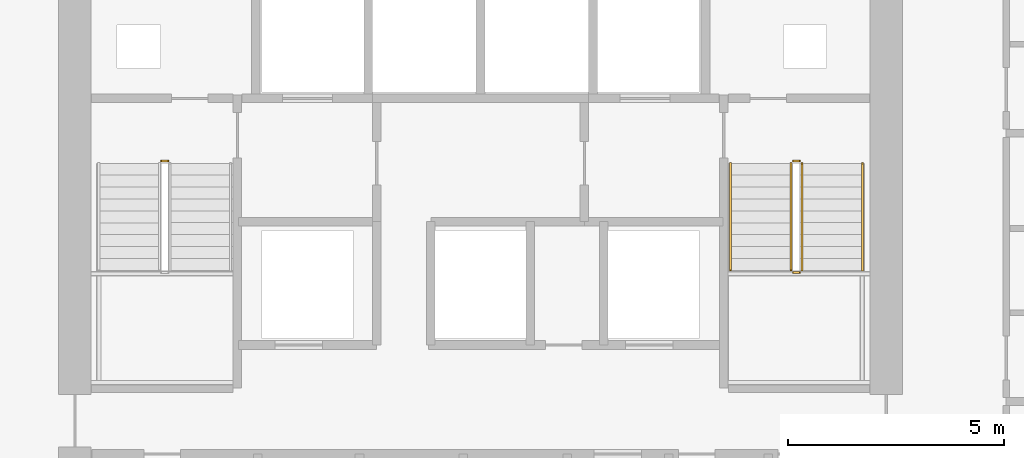
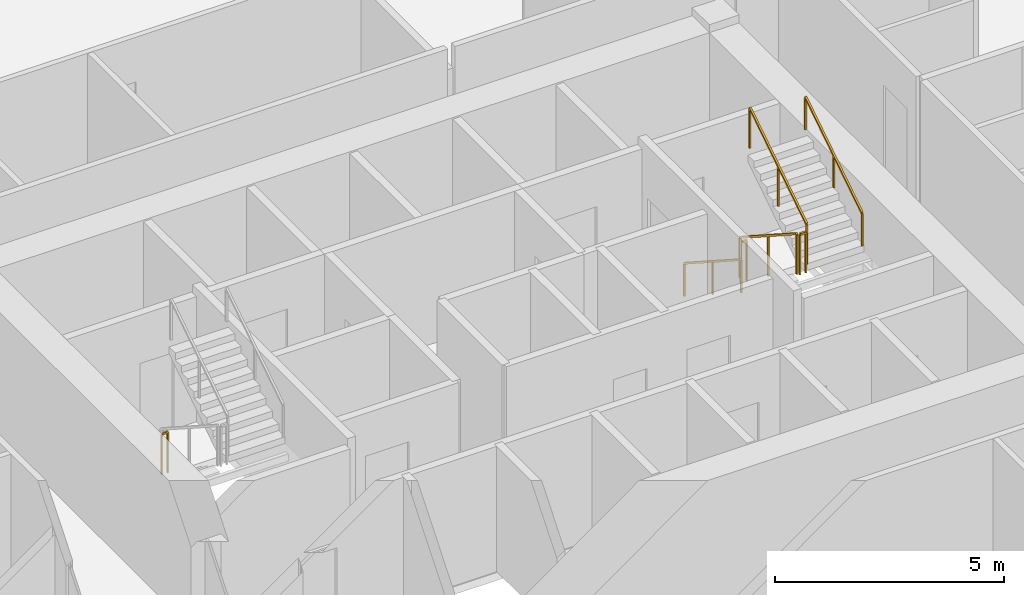
# One storey, part 10 of 10: 7 railings.
"""IFC4 building model written with IfcOpenShell, lengths in metres."""

from ifc_helpers import new_model, si_unit, direction, frame, origin, origin_2d, place, context, subcontext, project, spatial, rectangle, extrude, material, type_object, element, save


model = new_model("IFC4")

# Units and contexts
model_context = context("Model", 3, precision=1e-05, world=origin(), true_north=direction((0.0, 1.0)))
body_context = subcontext(model_context, "Body", "Model", "MODEL_VIEW")
ifc_project = project(units=[si_unit("LENGTHUNIT", "METRE"), si_unit("AREAUNIT", "SQUARE_METRE"), si_unit("VOLUMEUNIT", "CUBIC_METRE"), si_unit("PLANEANGLEUNIT", "RADIAN"), si_unit("MASSUNIT", "GRAM", prefix="KILO")], contexts=[model_context])

# Site, building, storey
site_placement = place(None, origin())
site = spatial("IfcSite", under=ifc_project, at=site_placement, CompositionType="ELEMENT")
building_placement = place(site_placement, origin())
building = spatial("IfcBuilding", under=site, at=building_placement, Name="Cinnabar Lancet Tower", CompositionType="ELEMENT")
storey_placement = place(building_placement, frame((0.0, 0.0, 98.39990234375)))
storey = spatial("IfcBuildingStorey", under=building, at=storey_placement, Name="L25", CompositionType="ELEMENT", Elevation=98.39990234375)

# Railings
ifc_material_1 = material(Name="Painted galvanized steel balustrade", Category="steel")
railing_type_1 = type_object("IfcRailingType", Name="GUARD-STAIR", PredefinedType="GUARDRAIL", material=ifc_material_1)
railing_1_placement = place(storey_placement, frame((25.02490234375, 28.449951171875, 0.0)))
element("IfcRailing", 1, at=railing_1_placement, inside=storey, type_object=railing_type_1, Name="L25 ST-1 stair guard 4", PredefinedType="GUARDRAIL", context=body_context, shape_type="SweptSolid", body=[
    extrude(rectangle(XDim=0.048095703125, YDim=0.048095703125, at=origin_2d()), frame((0.0, 0.0, 1.076171875), z_axis=(1.0, 0.0, 0.0), x_axis=(0.0, 1.0, 0.0)), (0.0, 0.0, 1.0), 0.150146484375),
    extrude(rectangle(XDim=0.0419921875, YDim=0.0419921875, at=origin_2d()), origin(), (0.0, 0.0, 1.0), 1.052001953125),
    extrude(rectangle(XDim=0.0419921875, YDim=0.0419921875, at=origin_2d()), frame((0.150146484375, 0.0, 0.0)), (0.0, 0.0, 1.0), 1.052001953125),
])
railing_2_placement = place(storey_placement, frame((39.574951171875, 28.39990234375, 0.177490234375)))
element("IfcRailing", 2, at=railing_2_placement, inside=storey, type_object=railing_type_1, Name="L25 ST-2 stair guard 1", PredefinedType="GUARDRAIL", context=body_context, shape_type="SweptSolid", body=[
    extrude(rectangle(XDim=0.048095703125, YDim=0.048095703125, at=origin_2d()), frame((0.0, 0.0, 1.076171875), z_axis=(0.0, -0.84014559416, 0.542360932049), x_axis=(1.0, 0.0, 0.0)), (0.0, 0.0, 1.0), 2.94580078125),
    extrude(rectangle(XDim=0.0419921875, YDim=0.0419921875, at=origin_2d()), origin(), (0.0, 0.0, 1.0), 1.052001953125),
    extrude(rectangle(XDim=0.0419921875, YDim=0.0419921875, at=origin_2d()), frame((0.0, -1.2373046875, 0.798828125)), (0.0, 0.0, 1.0), 1.052001953125),
    extrude(rectangle(XDim=0.0419921875, YDim=0.0419921875, at=origin_2d()), frame((0.0, -2.474853515625, 1.59765625)), (0.0, 0.0, 1.0), 1.052001953125),
])
railing_3_placement = place(storey_placement, frame((39.625, 25.875, 1.775146484375)))
element("IfcRailing", 3, at=railing_3_placement, inside=storey, type_object=railing_type_1, Name="L25 ST-2 stair guard 2", PredefinedType="GUARDRAIL", context=body_context, shape_type="SweptSolid", body=[
    extrude(rectangle(XDim=0.048095703125, YDim=0.048095703125, at=origin_2d()), frame((0.0, 0.0, 1.076171875), z_axis=(1.0, 0.0, 0.0), x_axis=(0.0, 1.0, 0.0)), (0.0, 0.0, 1.0), 0.14990234375),
    extrude(rectangle(XDim=0.0419921875, YDim=0.0419921875, at=origin_2d()), origin(), (0.0, 0.0, 1.0), 1.052001953125),
    extrude(rectangle(XDim=0.0419921875, YDim=0.0419921875, at=origin_2d()), frame((0.14990234375, 0.0, 0.0)), (0.0, 0.0, 1.0), 1.052001953125),
])
railing_4_placement = place(storey_placement, frame((39.824951171875, 25.925048828125, 1.95263671875)))
element("IfcRailing", 4, at=railing_4_placement, inside=storey, type_object=railing_type_1, Name="L25 ST-2 stair guard 3", PredefinedType="GUARDRAIL", context=body_context, shape_type="SweptSolid", body=[
    extrude(rectangle(XDim=0.048095703125, YDim=0.048095703125, at=origin_2d()), frame((0.0, 0.0, 1.076171875), z_axis=(0.0, 0.840183358697, 0.542302428327), x_axis=(-1.0, 0.0, 0.0)), (0.0, 0.0, 1.0), 2.945556640625),
    extrude(rectangle(XDim=0.0419921875, YDim=0.0419921875, at=origin_2d()), origin(), (0.0, 0.0, 1.0), 1.052001953125),
    extrude(rectangle(XDim=0.0419921875, YDim=0.0419921875, at=origin_2d()), frame((0.0, 1.2373046875, 0.798828125)), (0.0, 0.0, 1.0), 1.052001953125),
    extrude(rectangle(XDim=0.0419921875, YDim=0.0419921875, at=origin_2d()), frame((0.0, 2.474853515625, 1.597412109375)), (0.0, 0.0, 1.0), 1.052001953125),
])
railing_5_placement = place(storey_placement, frame((39.625, 28.449951171875, 0.0)))
element("IfcRailing", 5, at=railing_5_placement, inside=storey, type_object=railing_type_1, Name="L25 ST-2 stair guard 4", PredefinedType="GUARDRAIL", context=body_context, shape_type="SweptSolid", body=[
    extrude(rectangle(XDim=0.048095703125, YDim=0.048095703125, at=origin_2d()), frame((0.0, 0.0, 1.076171875), z_axis=(1.0, 0.0, 0.0), x_axis=(0.0, 1.0, 0.0)), (0.0, 0.0, 1.0), 0.14990234375),
    extrude(rectangle(XDim=0.0419921875, YDim=0.0419921875, at=origin_2d()), origin(), (0.0, 0.0, 1.0), 1.052001953125),
    extrude(rectangle(XDim=0.0419921875, YDim=0.0419921875, at=origin_2d()), frame((0.14990234375, 0.0, 0.0)), (0.0, 0.0, 1.0), 1.052001953125),
])
ifc_material_2 = material(Name="Brushed stainless steel handrail", Category="steel")
railing_type_2 = type_object("IfcRailingType", Name="HANDRAIL-STAIR", PredefinedType="HANDRAIL", material=ifc_material_2)
railing_6_placement = place(storey_placement, frame((38.175048828125, 28.39990234375, 0.177490234375)))
element("IfcRailing", 6, at=railing_6_placement, inside=storey, type_object=railing_type_2, Name="L25 ST-2 stair handrail 1", PredefinedType="HANDRAIL", context=body_context, shape_type="SweptSolid", body=[
    extrude(rectangle(XDim=0.048095703125, YDim=0.048095703125, at=origin_2d()), frame((0.0, 0.0, 0.8759765625), z_axis=(0.0, -0.84014559416, 0.542360932049), x_axis=(1.0, 0.0, 0.0)), (0.0, 0.0, 1.0), 2.94580078125),
    extrude(rectangle(XDim=0.0419921875, YDim=0.0419921875, at=origin_2d()), origin(), (0.0, 0.0, 1.0), 0.851806640625),
    extrude(rectangle(XDim=0.0419921875, YDim=0.0419921875, at=origin_2d()), frame((0.0, -1.2373046875, 0.798828125)), (0.0, 0.0, 1.0), 0.851806640625),
    extrude(rectangle(XDim=0.0419921875, YDim=0.0419921875, at=origin_2d()), frame((0.0, -2.474853515625, 1.59765625)), (0.0, 0.0, 1.0), 0.851806640625),
])
railing_7_placement = place(storey_placement, frame((41.22509765625, 25.925048828125, 1.95263671875)))
element("IfcRailing", 7, at=railing_7_placement, inside=storey, type_object=railing_type_2, Name="L25 ST-2 stair handrail 2", PredefinedType="HANDRAIL", context=body_context, shape_type="SweptSolid", body=[
    extrude(rectangle(XDim=0.048095703125, YDim=0.048095703125, at=origin_2d()), frame((0.0, 0.0, 0.8759765625), z_axis=(0.0, 0.840183358697, 0.542302428327), x_axis=(-1.0, 0.0, 0.0)), (0.0, 0.0, 1.0), 2.945556640625),
    extrude(rectangle(XDim=0.0419921875, YDim=0.0419921875, at=origin_2d()), origin(), (0.0, 0.0, 1.0), 0.851806640625),
    extrude(rectangle(XDim=0.0419921875, YDim=0.0419921875, at=origin_2d()), frame((0.0, 1.2373046875, 0.798828125)), (0.0, 0.0, 1.0), 0.851806640625),
    extrude(rectangle(XDim=0.0419921875, YDim=0.0419921875, at=origin_2d()), frame((0.0, 2.474853515625, 1.597412109375)), (0.0, 0.0, 1.0), 0.851806640625),
])

save(model, "model.ifc")
